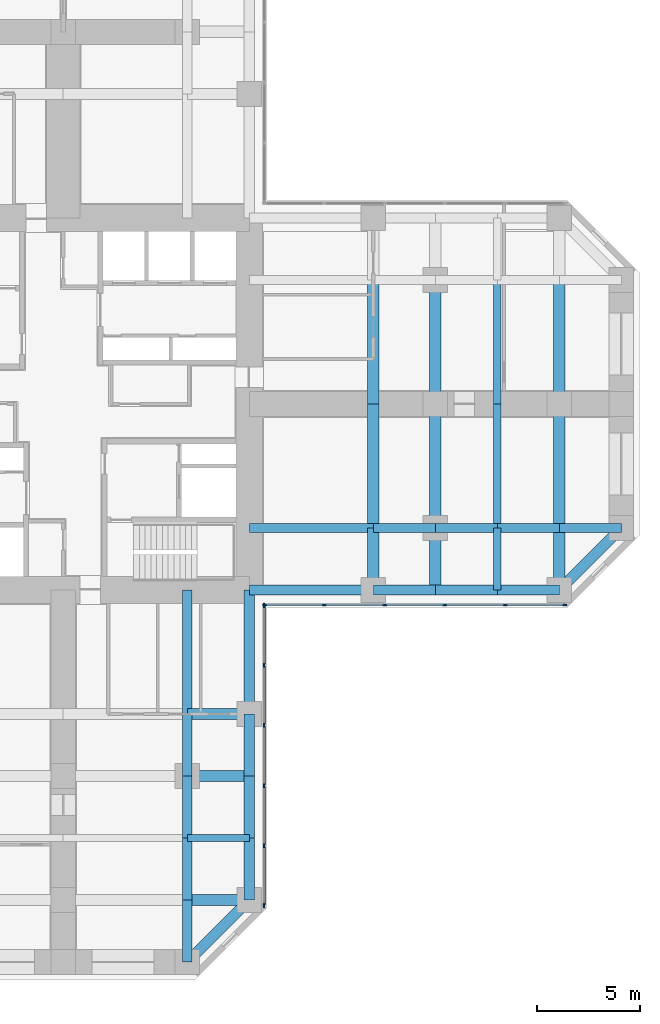
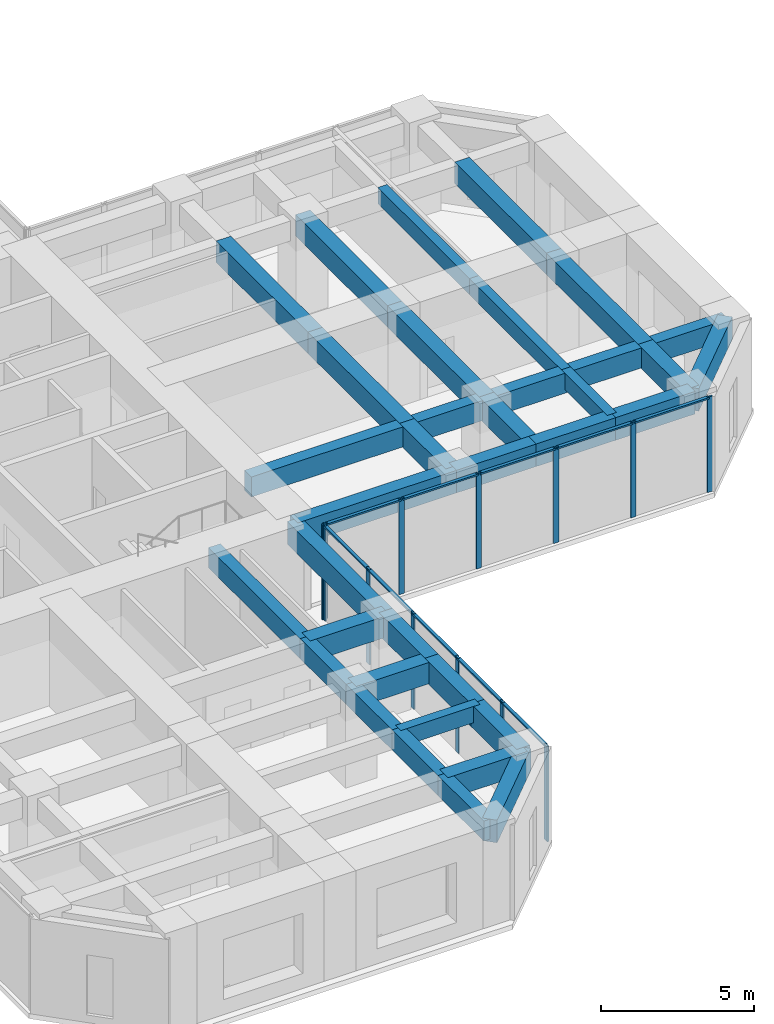
# One storey, part 4 of 12: 36 beams, 22 members, 2 elements without a shape of their own.
"""IFC4 building model written with IfcOpenShell, lengths in metres."""

import ifcopenshell
import ifcopenshell.guid

model = None  # the IFC model being written
_history = None  # IfcOwnerHistory: only IFC2X3 demands one
_inside = {}  # id of a spatial element -> (the spatial element, [elements in it])
_under = {}  # id of a project, library or spatial element -> (it, [spatial elements below it])
_declared = {}  # id of a project -> (the project, [libraries it declares])
_typed = {}  # id of a type object -> (the type object, [elements of that type])
_made_of = {}  # id of a material, layer set ... -> (it, [elements and type objects made of it])


def new_model(schema):
    """Start an empty IFC model of exactly this schema.

    Asked for "IFC4X3", IfcOpenShell would pick the latest addendum, in which some entities
    have other attributes; the version numbers below select the first issue.
    IFC2X3 requires an IfcOwnerHistory on every rooted entity: one is made here for all.
    """
    global model, _history
    if schema == "IFC4X3":
        model = ifcopenshell.file(schema_version=(4, 3, 0, 0))
    else:
        model = ifcopenshell.file(schema=schema)
    _inside.clear()
    _under.clear()
    _declared.clear()
    _typed.clear()
    _made_of.clear()
    _history = None
    if model.schema == "IFC2X3":
        org = make("IfcOrganization", Name="unknown")
        user = make(
            "IfcPersonAndOrganization",
            ThePerson=make("IfcPerson", FamilyName="unknown"),
            TheOrganization=org,
        )
        app = make(
            "IfcApplication",
            ApplicationDeveloper=org,
            Version="unknown",
            ApplicationFullName="unknown",
            ApplicationIdentifier="unknown",
        )
        _history = make(
            "IfcOwnerHistory",
            OwningUser=user,
            OwningApplication=app,
            ChangeAction="ADDED",
            CreationDate=0,
        )
    return model


def make(cls, **values):
    """One entity of the class cls with the attributes given. An attribute that is None is left unset."""
    return model.create_entity(
        cls, **{name: value for name, value in values.items() if value is not None}
    )


def rooted(cls, **values):
    """An entity with a GlobalId (a new one), such as an element, a storey or a relation."""
    return make(cls, GlobalId=ifcopenshell.guid.new(), OwnerHistory=_history, **values)


def si_unit(unit_type, name, prefix=None):
    """IfcSIUnit, for example si_unit("LENGTHUNIT", "METRE", prefix="MILLI")."""
    return make("IfcSIUnit", UnitType=unit_type, Prefix=prefix, Name=name)


def assignment(units):
    """IfcUnitAssignment: the units of a project."""
    return None if units is None else make("IfcUnitAssignment", Units=units)


def point(xyz):
    """IfcCartesianPoint."""
    return None if xyz is None else make("IfcCartesianPoint", Coordinates=xyz)


def direction(xyz):
    """IfcDirection."""
    return None if xyz is None else make("IfcDirection", DirectionRatios=xyz)


def frame(location, z_axis=None, x_axis=None):
    """IfcAxis2Placement3D, a coordinate frame: its origin and axes. An axis left out is left unset."""
    return make(
        "IfcAxis2Placement3D",
        Location=point(location),
        Axis=direction(z_axis),
        RefDirection=direction(x_axis),
    )


def frame_2d(location, x_axis=None):
    """IfcAxis2Placement2D, a coordinate frame in the plane: its origin and x axis."""
    return make(
        "IfcAxis2Placement2D", Location=point(location), RefDirection=direction(x_axis)
    )


def origin():
    """The frame at (0, 0, 0) with its axes left unset."""
    return frame((0.0, 0.0, 0.0))


def origin_2d():
    """The frame at (0, 0) in the plane with its x axis left unset."""
    return frame_2d((0.0, 0.0))


def place(relative_to, where):
    """IfcLocalPlacement: puts the frame where relative to a parent placement (None: the world)."""
    return make(
        "IfcLocalPlacement", PlacementRelTo=relative_to, RelativePlacement=where
    )


def context(
    kind, dimensions, precision=None, world=None, true_north=None, identifier=None
):
    """IfcGeometricRepresentationContext, for example the 3D "Model" context."""
    return make(
        "IfcGeometricRepresentationContext",
        ContextIdentifier=identifier,
        ContextType=kind,
        CoordinateSpaceDimension=dimensions,
        Precision=precision,
        WorldCoordinateSystem=world,
        TrueNorth=true_north,
    )


def subcontext(parent, identifier, kind, view, scale=None):
    """IfcGeometricRepresentationSubContext, for example "Body" below "Model"."""
    return make(
        "IfcGeometricRepresentationSubContext",
        ContextIdentifier=identifier,
        ContextType=kind,
        ParentContext=parent,
        TargetScale=scale,
        TargetView=view,
    )


def project(units=None, contexts=None):
    """IfcProject with its units and contexts."""
    return rooted(
        "IfcProject",
        Name="project",
        RepresentationContexts=contexts,
        UnitsInContext=assignment(units),
    )


def spatial(cls, under=None, at=None, **own):
    """A site, building, storey or space (cls), placed at a placement, below another one or the project."""
    s = rooted(cls, ObjectPlacement=at, **own)
    if under is not None:
        _under.setdefault(under.id(), (under, []))[1].append(s)
    return s


def profile(cls, at=None, kind="AREA", **sizes):
    """A parametric profile (cls). Its sizes go by their IFC names, for example OverallWidth=200.0."""
    return make(cls, ProfileType=kind, Position=at, **sizes)


def rectangle(**sizes):
    """IfcRectangleProfileDef."""
    return profile("IfcRectangleProfileDef", **sizes)


def extrude(swept, where, along, depth):
    """IfcExtrudedAreaSolid: the profile swept, set in the frame where, extruded along a direction by depth."""
    return make(
        "IfcExtrudedAreaSolid",
        SweptArea=swept,
        Position=where,
        ExtrudedDirection=direction(along),
        Depth=depth,
    )


def shape(context_of_items, identifier, shape_type, items):
    """IfcShapeRepresentation: the items that make up one representation, for example the "Body"."""
    return make(
        "IfcShapeRepresentation",
        ContextOfItems=context_of_items,
        RepresentationIdentifier=identifier,
        RepresentationType=shape_type,
        Items=items,
    )


def material(Name=None, Category=None):
    """IfcMaterial."""
    return make("IfcMaterial", Name=Name, Category=Category)


def material_profile(
    of_material, cross_section, Name=None, Category=None, Priority=None
):
    """IfcMaterialProfile: a cross section and its material."""
    return make(
        "IfcMaterialProfile",
        Name=Name,
        Material=of_material,
        Profile=cross_section,
        Priority=Priority,
        Category=Category,
    )


def profile_set(profiles, Name=None, composite=None):
    """IfcMaterialProfileSet."""
    return make(
        "IfcMaterialProfileSet",
        Name=Name,
        MaterialProfiles=profiles,
        CompositeProfile=composite,
    )


def made_of(thing, what):
    """Note that an element or type object is made of a material, layer set ...; save() writes the relation."""
    if what is not None:
        _made_of.setdefault(what.id(), (what, []))[1].append(thing)
    return thing


def type_object(cls, material=None, **own):
    """A type object (cls), such as IfcWallType, which elements share."""
    return made_of(rooted(cls, **own), material)


def element(
    cls,
    number,
    at=None,
    inside=None,
    cuts=None,
    type_object=None,
    material=None,
    context=None,
    identifier="Body",
    shape_type=None,
    held_by="IfcProductDefinitionShape",
    body=None,
    shapes=None,
    **own,
):
    """One element of the class cls, such as IfcWall. Its Tag is "e" and its number.

    at: its placement. inside: the storey or other place that contains it. cuts: it is an
    opening in that element (IfcRelVoidsElement). A single representation is given by context,
    identifier, shape_type and body (its items); several are given by shapes. held_by: the class
    of the entity that holds the representations. save() writes the other relations.
    """
    e = rooted(cls, Tag="e%d" % number, ObjectPlacement=at, **own)
    if body is not None:
        shapes = [shape(context, identifier, shape_type, body)]
    if shapes is not None:
        e.Representation = make(held_by, Representations=shapes)
    if inside is not None:
        _inside.setdefault(inside.id(), (inside, []))[1].append(e)
    if cuts is not None:
        rooted(
            "IfcRelVoidsElement", RelatingBuildingElement=cuts, RelatedOpeningElement=e
        )
    if type_object is not None:
        _typed.setdefault(type_object.id(), (type_object, []))[1].append(e)
    return made_of(e, material)


def aggregate(whole, parts):
    """IfcRelAggregates: a whole, such as a stair, and the parts it consists of."""
    return rooted("IfcRelAggregates", RelatingObject=whole, RelatedObjects=parts)


def save(model, path):
    """Write the relations noted so far, then the file.

    IfcRelAggregates (storeys below a building ...), IfcRelContainedInSpatialStructure (elements
    in a storey), IfcRelDefinesByType, IfcRelAssociatesMaterial and IfcRelDeclares: one each for
    every whole, place, type object, material and project.
    """
    for whole, parts in _under.values():
        aggregate(whole, parts)
    for where, things in _inside.values():
        rooted(
            "IfcRelContainedInSpatialStructure",
            RelatedElements=things,
            RelatingStructure=where,
        )
    for kind, things in _typed.values():
        rooted("IfcRelDefinesByType", RelatedObjects=things, RelatingType=kind)
    for what, things in _made_of.values():
        rooted("IfcRelAssociatesMaterial", RelatedObjects=things, RelatingMaterial=what)
    for by, libraries in _declared.values():
        rooted("IfcRelDeclares", RelatingContext=by, RelatedDefinitions=libraries)
    model.write(path)


model = new_model("IFC4")

# Units and contexts
model_context = context("Model", 3, precision=1e-05, world=origin(), true_north=direction((0.0, 1.0)))
body_context = subcontext(model_context, "Body", "Model", "MODEL_VIEW")
ifc_project = project(units=[si_unit("LENGTHUNIT", "METRE"), si_unit("AREAUNIT", "SQUARE_METRE"), si_unit("VOLUMEUNIT", "CUBIC_METRE"), si_unit("PLANEANGLEUNIT", "RADIAN"), si_unit("MASSUNIT", "GRAM", prefix="KILO")], contexts=[model_context])

# Site, building, storey
site_placement = place(None, origin())
site = spatial("IfcSite", under=ifc_project, at=site_placement, CompositionType="ELEMENT")
building_placement = place(site_placement, origin())
building = spatial("IfcBuilding", under=site, at=building_placement, Name="Torre Cruceta", CompositionType="ELEMENT")
storey_placement = place(building_placement, frame((0.0, 0.0, 63.5)))
storey = spatial("IfcBuildingStorey", under=building, at=storey_placement, Name="L15", CompositionType="ELEMENT", Elevation=63.5)

# Beams
ifc_material_1 = material(Name="Concrete G60 (fck 60 MPa)", Category="concrete")
ifc_material_profile_1 = material_profile(ifc_material_1, rectangle(XDim=0.449951171875, YDim=0.800048828125, at=origin_2d()), Name="RC 450X800")
ifc_profile_set_1 = profile_set([ifc_material_profile_1], Name="Concrete G60 (fck 60 MPa)")
beam_type_1 = type_object("IfcBeamType", Name="COLUMN LINE BEAM RC 450X800", PredefinedType="BEAM", material=ifc_profile_set_1)
beam_1_placement = place(storey_placement, frame((9.0, -6.0, 3.39990234375), z_axis=(1.0, 0.0, 0.0), x_axis=(0.0, 1.0, 0.0)))
element("IfcBeam", 1, at=beam_1_placement, inside=storey, type_object=beam_type_1, Name="LB1 L15 E col- 1", PredefinedType="BEAM", context=body_context, shape_type="SweptSolid", body=[
    extrude(rectangle(XDim=0.449951171875, YDim=0.800048828125, at=origin_2d()), origin(), (0.0, 0.0, 1.0), 6.0),
])
for number, where, z_axis, x_axis, name in (
    (2, (15.0, -6.0, 3.39990234375), (1.0, 0.0, 0.0), (0.0, 1.0, 0.0), "LB1 L15 E col- 2"),
    (3, (18.0, -6.0, 3.39990234375), (1.0, 0.0, 0.0), (0.0, 1.0, 0.0), "LB1 L15 E col- 3"),
    (4, (21.0, -6.0, 3.39990234375), (1.0, 0.0, 0.0), (0.0, 1.0, 0.0), "LB1 L15 E col- 4"),
    (5, (24.0, -6.0, 3.39990234375), (1.0, 0.0, 0.0), (0.0, 1.0, 0.0), "LB1 L15 E col- 5"),
):
    element("IfcBeam", number, at=place(storey_placement, frame(where, z_axis=z_axis, x_axis=x_axis)), inside=storey, type_object=beam_type_1, Name=name, PredefinedType="BEAM", context=body_context, shape_type="SweptSolid", body=[
        extrude(rectangle(XDim=0.449951171875, YDim=0.800048828125, at=origin_2d()), origin(), (0.0, 0.0, 1.0), 3.0),
    ])
beam_2_placement = place(storey_placement, frame((6.0, -9.0, 3.39990234375), z_axis=(0.0, -1.0, 0.0), x_axis=(1.0, 0.0, 0.0)))
element("IfcBeam", 6, at=beam_2_placement, inside=storey, type_object=beam_type_1, Name="LB1 L15 S col+ 1", PredefinedType="BEAM", context=body_context, shape_type="SweptSolid", body=[
    extrude(rectangle(XDim=0.449951171875, YDim=0.800048828125, at=origin_2d()), origin(), (0.0, 0.0, 1.0), 6.0),
])
for number, where, z_axis, x_axis, name in (
    (7, (6.0, -15.0, 3.39990234375), (0.0, -1.0, 0.0), (1.0, 0.0, 0.0), "LB1 L15 S col+ 2"),
    (8, (6.0, -18.0, 3.39990234375), (0.0, -1.0, 0.0), (1.0, 0.0, 0.0), "LB1 L15 S col+ 3"),
    (9, (6.0, -21.0, 3.39990234375), (0.0, -1.0, 0.0), (1.0, 0.0, 0.0), "LB1 L15 S col+ 4"),
    (10, (6.0, -24.0, 3.39990234375), (0.0, -1.0, 0.0), (1.0, 0.0, 0.0), "LB1 L15 S col+ 5"),
):
    element("IfcBeam", number, at=place(storey_placement, frame(where, z_axis=z_axis, x_axis=x_axis)), inside=storey, type_object=beam_type_1, Name=name, PredefinedType="BEAM", context=body_context, shape_type="SweptSolid", body=[
        extrude(rectangle(XDim=0.449951171875, YDim=0.800048828125, at=origin_2d()), origin(), (0.0, 0.0, 1.0), 3.0),
    ])
ifc_material_2 = material(Name="Concrete G60 (fck 60 MPa)", Category="concrete")
ifc_material_profile_2 = material_profile(ifc_material_2, rectangle(XDim=0.550048828125, YDim=0.85009765625, at=origin_2d()), Name="RC 550X850")
ifc_profile_set_2 = profile_set([ifc_material_profile_2], Name="Concrete G60 (fck 60 MPa)")
beam_type_2 = type_object("IfcBeamType", Name="CROSS BEAM RC 550X850", PredefinedType="BEAM", material=ifc_profile_set_2)
beam_3_placement = place(storey_placement, frame((15.0, -9.0, 3.375), z_axis=(0.0, 1.0, 0.0), x_axis=(-1.0, 0.0, 0.0)))
element("IfcBeam", 11, at=beam_3_placement, inside=storey, type_object=beam_type_2, Name="GB4 L15 E cross15 1", PredefinedType="BEAM", context=body_context, shape_type="SweptSolid", body=[
    extrude(rectangle(XDim=0.550048828125, YDim=0.85009765625, at=origin_2d()), origin(), (0.0, 0.0, 1.0), 3.0),
])
for number, where, z_axis, x_axis, name in (
    (12, (15.0, -6.0, 3.375), (0.0, 1.0, 0.0), (-1.0, 0.0, 0.0), "GB4 L15 E cross15 2"),
    (13, (15.0, 0.0, 3.375), (0.0, 1.0, 0.0), (-1.0, 0.0, 0.0), "GB4 L15 E cross15 3"),
):
    element("IfcBeam", number, at=place(storey_placement, frame(where, z_axis=z_axis, x_axis=x_axis)), inside=storey, type_object=beam_type_2, Name=name, PredefinedType="BEAM", context=body_context, shape_type="SweptSolid", body=[
        extrude(rectangle(XDim=0.550048828125, YDim=0.85009765625, at=origin_2d()), origin(), (0.0, 0.0, 1.0), 6.0),
    ])
beam_4_placement = place(storey_placement, frame((18.0, -9.0, 3.375), z_axis=(0.0, 1.0, 0.0), x_axis=(-1.0, 0.0, 0.0)))
element("IfcBeam", 14, at=beam_4_placement, inside=storey, type_object=beam_type_2, Name="GB4 L15 E cross18 1", PredefinedType="BEAM", context=body_context, shape_type="SweptSolid", body=[
    extrude(rectangle(XDim=0.550048828125, YDim=0.85009765625, at=origin_2d()), origin(), (0.0, 0.0, 1.0), 3.0),
])
for number, where, z_axis, x_axis, name in (
    (15, (18.0, -6.0, 3.375), (0.0, 1.0, 0.0), (-1.0, 0.0, 0.0), "GB4 L15 E cross18 2"),
    (16, (18.0, 0.0, 3.375), (0.0, 1.0, 0.0), (-1.0, 0.0, 0.0), "GB4 L15 E cross18 3"),
):
    element("IfcBeam", number, at=place(storey_placement, frame(where, z_axis=z_axis, x_axis=x_axis)), inside=storey, type_object=beam_type_2, Name=name, PredefinedType="BEAM", context=body_context, shape_type="SweptSolid", body=[
        extrude(rectangle(XDim=0.550048828125, YDim=0.85009765625, at=origin_2d()), origin(), (0.0, 0.0, 1.0), 6.0),
    ])
beam_5_placement = place(storey_placement, frame((24.0, -9.0, 3.375), z_axis=(0.0, 1.0, 0.0), x_axis=(-1.0, 0.0, 0.0)))
element("IfcBeam", 17, at=beam_5_placement, inside=storey, type_object=beam_type_2, Name="GB4 L15 E cross24 1", PredefinedType="BEAM", context=body_context, shape_type="SweptSolid", body=[
    extrude(rectangle(XDim=0.550048828125, YDim=0.85009765625, at=origin_2d()), origin(), (0.0, 0.0, 1.0), 3.0),
])
for number, where, z_axis, x_axis, name in (
    (18, (24.0, -6.0, 3.375), (0.0, 1.0, 0.0), (-1.0, 0.0, 0.0), "GB4 L15 E cross24 2"),
    (19, (24.0, 0.0, 3.375), (0.0, 1.0, 0.0), (-1.0, 0.0, 0.0), "GB4 L15 E cross24 3"),
):
    element("IfcBeam", number, at=place(storey_placement, frame(where, z_axis=z_axis, x_axis=x_axis)), inside=storey, type_object=beam_type_2, Name=name, PredefinedType="BEAM", context=body_context, shape_type="SweptSolid", body=[
        extrude(rectangle(XDim=0.550048828125, YDim=0.85009765625, at=origin_2d()), origin(), (0.0, 0.0, 1.0), 6.0),
    ])
for number, where, z_axis, x_axis, name in (
    (20, (6.0, -15.0, 3.375), (1.0, 0.0, 0.0), (0.0, 1.0, 0.0), "GB4 L15 S cross15 4"),
    (21, (6.0, -18.0, 3.375), (1.0, 0.0, 0.0), (0.0, 1.0, 0.0), "GB4 L15 S cross18 4"),
    (22, (6.0, -24.0, 3.375), (1.0, 0.0, 0.0), (0.0, 1.0, 0.0), "GB4 L15 S cross24 4"),
):
    element("IfcBeam", number, at=place(storey_placement, frame(where, z_axis=z_axis, x_axis=x_axis)), inside=storey, type_object=beam_type_2, Name=name, PredefinedType="BEAM", context=body_context, shape_type="SweptSolid", body=[
        extrude(rectangle(XDim=0.550048828125, YDim=0.85009765625, at=origin_2d()), origin(), (0.0, 0.0, 1.0), 3.0),
    ])

# Curtain wall, members
ifc_material_3 = material(Name="Aluminium unitised curtain wall", Category="aluminium")
curtain_wall_type = type_object("IfcCurtainWallType", Name="CURTAIN WALL CW-A OFFICE LOW RISE", PredefinedType="USERDEFINED", material=ifc_material_3)
curtain_wall_1_placement = place(storey_placement, origin())
curtain_wall_1 = element("IfcCurtainWall", 23, at=curtain_wall_1_placement, inside=storey, type_object=curtain_wall_type, Name="CW-A L15 E side 00", ObjectType="UNITISED", PredefinedType="USERDEFINED")
ifc_material_4 = material(Name="Aluminium mullion", Category="aluminium")
ifc_material_profile_3 = material_profile(ifc_material_4, rectangle(XDim=0.06494140625, YDim=0.199951171875, at=origin_2d()), Name="AL 65X200")
ifc_profile_set_3 = profile_set([ifc_material_profile_3], Name="Aluminium mullion")
member_type_1 = type_object("IfcMemberType", Name="CW-A MULLION 65X200", PredefinedType="MULLION", material=ifc_profile_set_3)
member_1_placement = place(storey_placement, frame((9.75244140625, -9.719970703125, 0.0), z_axis=(0.0, 0.0, 1.0), x_axis=(0.0, 1.0, 0.0)))
member_1 = element("IfcMember", 24, at=member_1_placement, type_object=member_type_1, Name="CW-A mullion 1", PredefinedType="MULLION", context=body_context, shape_type="SweptSolid", body=[
    extrude(rectangle(XDim=0.06494140625, YDim=0.199951171875, at=origin_2d()), origin(), (0.0, 0.0, 1.0), 3.800048828125),
])
member_2_placement = place(storey_placement, frame((12.6357421875, -9.719970703125, 0.0), z_axis=(0.0, 0.0, 1.0), x_axis=(0.0, 1.0, 0.0)))
member_2 = element("IfcMember", 25, at=member_2_placement, type_object=member_type_1, Name="CW-A mullion 2", PredefinedType="MULLION", context=body_context, shape_type="SweptSolid", body=[
    extrude(rectangle(XDim=0.06494140625, YDim=0.199951171875, at=origin_2d()), origin(), (0.0, 0.0, 1.0), 3.800048828125),
])
member_3_placement = place(storey_placement, frame((15.55126953125, -9.719970703125, 0.0), z_axis=(0.0, 0.0, 1.0), x_axis=(0.0, 1.0, 0.0)))
member_3 = element("IfcMember", 26, at=member_3_placement, type_object=member_type_1, Name="CW-A mullion 3", PredefinedType="MULLION", context=body_context, shape_type="SweptSolid", body=[
    extrude(rectangle(XDim=0.06494140625, YDim=0.199951171875, at=origin_2d()), origin(), (0.0, 0.0, 1.0), 3.800048828125),
])
member_4_placement = place(storey_placement, frame((18.467041015625, -9.719970703125, 0.0), z_axis=(0.0, 0.0, 1.0), x_axis=(0.0, 1.0, 0.0)))
member_4 = element("IfcMember", 27, at=member_4_placement, type_object=member_type_1, Name="CW-A mullion 4", PredefinedType="MULLION", context=body_context, shape_type="SweptSolid", body=[
    extrude(rectangle(XDim=0.06494140625, YDim=0.199951171875, at=origin_2d()), origin(), (0.0, 0.0, 1.0), 3.800048828125),
])
member_5_placement = place(storey_placement, frame((21.382568359375, -9.719970703125, 0.0), z_axis=(0.0, 0.0, 1.0), x_axis=(0.0, 1.0, 0.0)))
member_5 = element("IfcMember", 28, at=member_5_placement, type_object=member_type_1, Name="CW-A mullion 5", PredefinedType="MULLION", context=body_context, shape_type="SweptSolid", body=[
    extrude(rectangle(XDim=0.06494140625, YDim=0.199951171875, at=origin_2d()), origin(), (0.0, 0.0, 1.0), 3.800048828125),
])
member_6_placement = place(storey_placement, frame((24.265625, -9.719970703125, 0.0), z_axis=(0.0, 0.0, 1.0), x_axis=(0.0, 1.0, 0.0)))
member_6 = element("IfcMember", 29, at=member_6_placement, type_object=member_type_1, Name="CW-A mullion 6", PredefinedType="MULLION", context=body_context, shape_type="SweptSolid", body=[
    extrude(rectangle(XDim=0.06494140625, YDim=0.199951171875, at=origin_2d()), origin(), (0.0, 0.0, 1.0), 3.800048828125),
])

curtain_wall_2_placement = place(storey_placement, origin())
curtain_wall_2 = element("IfcCurtainWall", 30, at=curtain_wall_2_placement, inside=storey, type_object=curtain_wall_type, Name="CW-A L15 S side 19", ObjectType="UNITISED", PredefinedType="USERDEFINED")
member_7_placement = place(storey_placement, frame((9.719970703125, -24.265625, 0.0), z_axis=(0.0, 0.0, 1.0), x_axis=(-1.0, 0.0, 0.0)))
member_7 = element("IfcMember", 31, at=member_7_placement, type_object=member_type_1, Name="CW-A mullion 1", PredefinedType="MULLION", context=body_context, shape_type="SweptSolid", body=[
    extrude(rectangle(XDim=0.06494140625, YDim=0.199951171875, at=origin_2d()), origin(), (0.0, 0.0, 1.0), 3.800048828125),
])
member_8_placement = place(storey_placement, frame((9.719970703125, -21.382568359375, 0.0), z_axis=(0.0, 0.0, 1.0), x_axis=(-1.0, 0.0, 0.0)))
member_8 = element("IfcMember", 32, at=member_8_placement, type_object=member_type_1, Name="CW-A mullion 2", PredefinedType="MULLION", context=body_context, shape_type="SweptSolid", body=[
    extrude(rectangle(XDim=0.06494140625, YDim=0.199951171875, at=origin_2d()), origin(), (0.0, 0.0, 1.0), 3.800048828125),
])
member_9_placement = place(storey_placement, frame((9.719970703125, -18.467041015625, 0.0), z_axis=(0.0, 0.0, 1.0), x_axis=(-1.0, 0.0, 0.0)))
member_9 = element("IfcMember", 33, at=member_9_placement, type_object=member_type_1, Name="CW-A mullion 3", PredefinedType="MULLION", context=body_context, shape_type="SweptSolid", body=[
    extrude(rectangle(XDim=0.06494140625, YDim=0.199951171875, at=origin_2d()), origin(), (0.0, 0.0, 1.0), 3.800048828125),
])
member_10_placement = place(storey_placement, frame((9.719970703125, -15.55126953125, 0.0), z_axis=(0.0, 0.0, 1.0), x_axis=(-1.0, 0.0, 0.0)))
member_10 = element("IfcMember", 34, at=member_10_placement, type_object=member_type_1, Name="CW-A mullion 4", PredefinedType="MULLION", context=body_context, shape_type="SweptSolid", body=[
    extrude(rectangle(XDim=0.06494140625, YDim=0.199951171875, at=origin_2d()), origin(), (0.0, 0.0, 1.0), 3.800048828125),
])
member_11_placement = place(storey_placement, frame((9.719970703125, -12.6357421875, 0.0), z_axis=(0.0, 0.0, 1.0), x_axis=(-1.0, 0.0, 0.0)))
member_11 = element("IfcMember", 35, at=member_11_placement, type_object=member_type_1, Name="CW-A mullion 5", PredefinedType="MULLION", context=body_context, shape_type="SweptSolid", body=[
    extrude(rectangle(XDim=0.06494140625, YDim=0.199951171875, at=origin_2d()), origin(), (0.0, 0.0, 1.0), 3.800048828125),
])
member_12_placement = place(storey_placement, frame((9.719970703125, -9.75244140625, 0.0), z_axis=(0.0, 0.0, 1.0), x_axis=(-1.0, 0.0, 0.0)))
member_12 = element("IfcMember", 36, at=member_12_placement, type_object=member_type_1, Name="CW-A mullion 6", PredefinedType="MULLION", context=body_context, shape_type="SweptSolid", body=[
    extrude(rectangle(XDim=0.06494140625, YDim=0.199951171875, at=origin_2d()), origin(), (0.0, 0.0, 1.0), 3.800048828125),
])

# Member
ifc_material_5 = material(Name="Aluminium transom", Category="aluminium")
ifc_material_profile_4 = material_profile(ifc_material_5, rectangle(XDim=0.1201171875, YDim=0.06494140625, at=origin_2d()), Name="AL 120X65")
ifc_profile_set_4 = profile_set([ifc_material_profile_4], Name="Aluminium transom")
member_type_2 = type_object("IfcMemberType", Name="CW-A TRANSOM 65X120", PredefinedType="USERDEFINED", material=ifc_profile_set_4)
member_13_placement = place(storey_placement, frame((9.784912109375, -9.719970703125, 3.767578125), z_axis=(1.0, 0.0, 0.0), x_axis=(0.0, 1.0, 0.0)))
member_13 = element("IfcMember", 37, at=member_13_placement, type_object=member_type_2, Name="CW-A transom 1", ObjectType="TRANSOM", PredefinedType="USERDEFINED", context=body_context, shape_type="SweptSolid", body=[
    extrude(rectangle(XDim=0.1201171875, YDim=0.06494140625, at=origin_2d()), origin(), (0.0, 0.0, 1.0), 2.818115234375),
])

member_14_placement = place(storey_placement, frame((12.668212890625, -9.719970703125, 3.767578125), z_axis=(1.0, 0.0, 0.0), x_axis=(0.0, 1.0, 0.0)))
member_14 = element("IfcMember", 38, at=member_14_placement, type_object=member_type_2, Name="CW-A transom 2", ObjectType="TRANSOM", PredefinedType="USERDEFINED", context=body_context, shape_type="SweptSolid", body=[
    extrude(rectangle(XDim=0.1201171875, YDim=0.06494140625, at=origin_2d()), origin(), (0.0, 0.0, 1.0), 2.8505859375),
])

member_15_placement = place(storey_placement, frame((15.583740234375, -9.719970703125, 3.767578125), z_axis=(1.0, 0.0, 0.0), x_axis=(0.0, 1.0, 0.0)))
member_15 = element("IfcMember", 39, at=member_15_placement, type_object=member_type_2, Name="CW-A transom 3", ObjectType="TRANSOM", PredefinedType="USERDEFINED", context=body_context, shape_type="SweptSolid", body=[
    extrude(rectangle(XDim=0.1201171875, YDim=0.06494140625, at=origin_2d()), origin(), (0.0, 0.0, 1.0), 2.8505859375),
])

member_16_placement = place(storey_placement, frame((18.49951171875, -9.719970703125, 3.767578125), z_axis=(1.0, 0.0, 0.0), x_axis=(0.0, 1.0, 0.0)))
member_16 = element("IfcMember", 40, at=member_16_placement, type_object=member_type_2, Name="CW-A transom 4", ObjectType="TRANSOM", PredefinedType="USERDEFINED", context=body_context, shape_type="SweptSolid", body=[
    extrude(rectangle(XDim=0.1201171875, YDim=0.06494140625, at=origin_2d()), origin(), (0.0, 0.0, 1.0), 2.8505859375),
])

member_17_placement = place(storey_placement, frame((21.4150390625, -9.719970703125, 3.767578125), z_axis=(1.0, 0.0, 0.0), x_axis=(0.0, 1.0, 0.0)))
member_17 = element("IfcMember", 41, at=member_17_placement, type_object=member_type_2, Name="CW-A transom 5", ObjectType="TRANSOM", PredefinedType="USERDEFINED", context=body_context, shape_type="SweptSolid", body=[
    extrude(rectangle(XDim=0.1201171875, YDim=0.06494140625, at=origin_2d()), origin(), (0.0, 0.0, 1.0), 2.818115234375),
])

aggregate(curtain_wall_1, [member_1, member_2, member_3, member_4, member_5, member_6, member_13, member_14, member_15, member_16, member_17])

member_18_placement = place(storey_placement, frame((9.719970703125, -24.233154296875, 3.767578125), z_axis=(0.0, 1.0, 0.0), x_axis=(-1.0, 0.0, 0.0)))
member_18 = element("IfcMember", 42, at=member_18_placement, type_object=member_type_2, Name="CW-A transom 1", ObjectType="TRANSOM", PredefinedType="USERDEFINED", context=body_context, shape_type="SweptSolid", body=[
    extrude(rectangle(XDim=0.1201171875, YDim=0.06494140625, at=origin_2d()), origin(), (0.0, 0.0, 1.0), 2.818115234375),
])

member_19_placement = place(storey_placement, frame((9.719970703125, -21.35009765625, 3.767578125), z_axis=(0.0, 1.0, 0.0), x_axis=(-1.0, 0.0, 0.0)))
member_19 = element("IfcMember", 43, at=member_19_placement, type_object=member_type_2, Name="CW-A transom 2", ObjectType="TRANSOM", PredefinedType="USERDEFINED", context=body_context, shape_type="SweptSolid", body=[
    extrude(rectangle(XDim=0.1201171875, YDim=0.06494140625, at=origin_2d()), origin(), (0.0, 0.0, 1.0), 2.8505859375),
])

member_20_placement = place(storey_placement, frame((9.719970703125, -18.434326171875, 3.767578125), z_axis=(0.0, 1.0, 0.0), x_axis=(-1.0, 0.0, 0.0)))
member_20 = element("IfcMember", 44, at=member_20_placement, type_object=member_type_2, Name="CW-A transom 3", ObjectType="TRANSOM", PredefinedType="USERDEFINED", context=body_context, shape_type="SweptSolid", body=[
    extrude(rectangle(XDim=0.1201171875, YDim=0.06494140625, at=origin_2d()), origin(), (0.0, 0.0, 1.0), 2.8505859375),
])

member_21_placement = place(storey_placement, frame((9.719970703125, -15.518798828125, 3.767578125), z_axis=(0.0, 1.0, 0.0), x_axis=(-1.0, 0.0, 0.0)))
member_21 = element("IfcMember", 45, at=member_21_placement, type_object=member_type_2, Name="CW-A transom 4", ObjectType="TRANSOM", PredefinedType="USERDEFINED", context=body_context, shape_type="SweptSolid", body=[
    extrude(rectangle(XDim=0.1201171875, YDim=0.06494140625, at=origin_2d()), origin(), (0.0, 0.0, 1.0), 2.8505859375),
])

member_22_placement = place(storey_placement, frame((9.719970703125, -12.60302734375, 3.767578125), z_axis=(0.0, 1.0, 0.0), x_axis=(-1.0, 0.0, 0.0)))
member_22 = element("IfcMember", 46, at=member_22_placement, type_object=member_type_2, Name="CW-A transom 5", ObjectType="TRANSOM", PredefinedType="USERDEFINED", context=body_context, shape_type="SweptSolid", body=[
    extrude(rectangle(XDim=0.1201171875, YDim=0.06494140625, at=origin_2d()), origin(), (0.0, 0.0, 1.0), 2.818115234375),
])

aggregate(curtain_wall_2, [member_7, member_8, member_9, member_10, member_11, member_12, member_18, member_19, member_20, member_21, member_22])

# Beams
ifc_material_6 = material(Name="Concrete G60 (fck 60 MPa)", Category="concrete")
ifc_material_profile_5 = material_profile(ifc_material_6, rectangle(XDim=0.35009765625, YDim=0.64990234375, at=origin_2d()), Name="RC 350X650")
ifc_profile_set_5 = profile_set([ifc_material_profile_5], Name="Concrete G60 (fck 60 MPa)")
beam_type_3 = type_object("IfcBeamType", Name="SECONDARY BEAM RC 350X650", PredefinedType="JOIST", material=ifc_profile_set_5)
beam_6_placement = place(storey_placement, frame((21.0, -9.0, 3.47509765625), z_axis=(0.0, 1.0, 0.0), x_axis=(-1.0, 0.0, 0.0)))
element("IfcBeam", 47, at=beam_6_placement, inside=storey, type_object=beam_type_3, Name="JB3 L15 E sec21 1", PredefinedType="JOIST", context=body_context, shape_type="SweptSolid", body=[
    extrude(rectangle(XDim=0.35009765625, YDim=0.64990234375, at=origin_2d()), origin(), (0.0, 0.0, 1.0), 3.0),
])
for number, where, z_axis, x_axis, name in (
    (48, (21.0, -6.0, 3.47509765625), (0.0, 1.0, 0.0), (-1.0, 0.0, 0.0), "JB3 L15 E sec21 2"),
    (49, (21.0, 0.0, 3.47509765625), (0.0, 1.0, 0.0), (-1.0, 0.0, 0.0), "JB3 L15 E sec21 3"),
):
    element("IfcBeam", number, at=place(storey_placement, frame(where, z_axis=z_axis, x_axis=x_axis)), inside=storey, type_object=beam_type_3, Name=name, PredefinedType="JOIST", context=body_context, shape_type="SweptSolid", body=[
        extrude(rectangle(XDim=0.35009765625, YDim=0.64990234375, at=origin_2d()), origin(), (0.0, 0.0, 1.0), 6.0),
    ])
beam_7_placement = place(storey_placement, frame((6.0, -21.0, 3.47509765625), z_axis=(1.0, 0.0, 0.0), x_axis=(0.0, 1.0, 0.0)))
element("IfcBeam", 50, at=beam_7_placement, inside=storey, type_object=beam_type_3, Name="JB3 L15 S sec21 4", PredefinedType="JOIST", context=body_context, shape_type="SweptSolid", body=[
    extrude(rectangle(XDim=0.35009765625, YDim=0.64990234375, at=origin_2d()), origin(), (0.0, 0.0, 1.0), 3.0),
])
ifc_material_7 = material(Name="Concrete G60 (fck 60 MPa)", Category="concrete")
ifc_material_profile_6 = material_profile(ifc_material_7, rectangle(XDim=0.5, YDim=0.89990234375, at=origin_2d()), Name="RC 500X900")
ifc_profile_set_6 = profile_set([ifc_material_profile_6], Name="Concrete G60 (fck 60 MPa)")
beam_type_4 = type_object("IfcBeamType", Name="SPANDREL BEAM RC 500X900", PredefinedType="SPANDREL", material=ifc_profile_set_6)
beam_8_placement = place(storey_placement, frame((9.0, -9.0, 3.35009765625), z_axis=(1.0, 0.0, 0.0), x_axis=(0.0, 1.0, 0.0)))
element("IfcBeam", 51, at=beam_8_placement, inside=storey, type_object=beam_type_4, Name="SB4 L15 E side- 1", PredefinedType="SPANDREL", context=body_context, shape_type="SweptSolid", body=[
    extrude(rectangle(XDim=0.5, YDim=0.89990234375, at=origin_2d()), origin(), (0.0, 0.0, 1.0), 6.0),
])
for number, where, z_axis, x_axis, name in (
    (52, (15.0, -9.0, 3.35009765625), (1.0, 0.0, 0.0), (0.0, 1.0, 0.0), "SB4 L15 E side- 2"),
    (53, (18.0, -9.0, 3.35009765625), (1.0, 0.0, 0.0), (0.0, 1.0, 0.0), "SB4 L15 E side- 3"),
    (54, (21.0, -9.0, 3.35009765625), (1.0, 0.0, 0.0), (0.0, 1.0, 0.0), "SB4 L15 E side- 4"),
):
    element("IfcBeam", number, at=place(storey_placement, frame(where, z_axis=z_axis, x_axis=x_axis)), inside=storey, type_object=beam_type_4, Name=name, PredefinedType="SPANDREL", context=body_context, shape_type="SweptSolid", body=[
        extrude(rectangle(XDim=0.5, YDim=0.89990234375, at=origin_2d()), origin(), (0.0, 0.0, 1.0), 3.0),
    ])
beam_9_placement = place(storey_placement, frame((24.0, -9.0, 3.35009765625), z_axis=(0.707106781187, 0.707106781187, 0.0), x_axis=(-0.707106781187, 0.707106781187, 0.0)))
element("IfcBeam", 55, at=beam_9_placement, inside=storey, type_object=beam_type_4, Name="SB4 L15 E side- 5", PredefinedType="SPANDREL", context=body_context, shape_type="SweptSolid", body=[
    extrude(rectangle(XDim=0.5, YDim=0.89990234375, at=origin_2d()), origin(), (0.0, 0.0, 1.0), 4.24267578125),
])
beam_10_placement = place(storey_placement, frame((9.0, -9.0, 3.35009765625), z_axis=(0.0, -1.0, 0.0), x_axis=(1.0, 0.0, 0.0)))
element("IfcBeam", 56, at=beam_10_placement, inside=storey, type_object=beam_type_4, Name="SB4 L15 S side+ 1", PredefinedType="SPANDREL", context=body_context, shape_type="SweptSolid", body=[
    extrude(rectangle(XDim=0.5, YDim=0.89990234375, at=origin_2d()), origin(), (0.0, 0.0, 1.0), 6.0),
])
for number, where, z_axis, x_axis, name in (
    (57, (9.0, -15.0, 3.35009765625), (0.0, -1.0, 0.0), (1.0, 0.0, 0.0), "SB4 L15 S side+ 2"),
    (58, (9.0, -18.0, 3.35009765625), (0.0, -1.0, 0.0), (1.0, 0.0, 0.0), "SB4 L15 S side+ 3"),
    (59, (9.0, -21.0, 3.35009765625), (0.0, -1.0, 0.0), (1.0, 0.0, 0.0), "SB4 L15 S side+ 4"),
):
    element("IfcBeam", number, at=place(storey_placement, frame(where, z_axis=z_axis, x_axis=x_axis)), inside=storey, type_object=beam_type_4, Name=name, PredefinedType="SPANDREL", context=body_context, shape_type="SweptSolid", body=[
        extrude(rectangle(XDim=0.5, YDim=0.89990234375, at=origin_2d()), origin(), (0.0, 0.0, 1.0), 3.0),
    ])
beam_11_placement = place(storey_placement, frame((9.0, -24.0, 3.35009765625), z_axis=(-0.707106781187, -0.707106781187, 0.0), x_axis=(0.707106781187, -0.707106781187, 0.0)))
element("IfcBeam", 60, at=beam_11_placement, inside=storey, type_object=beam_type_4, Name="SB4 L15 S side+ 5", PredefinedType="SPANDREL", context=body_context, shape_type="SweptSolid", body=[
    extrude(rectangle(XDim=0.5, YDim=0.89990234375, at=origin_2d()), origin(), (0.0, 0.0, 1.0), 4.24267578125),
])

save(model, "model.ifc")
